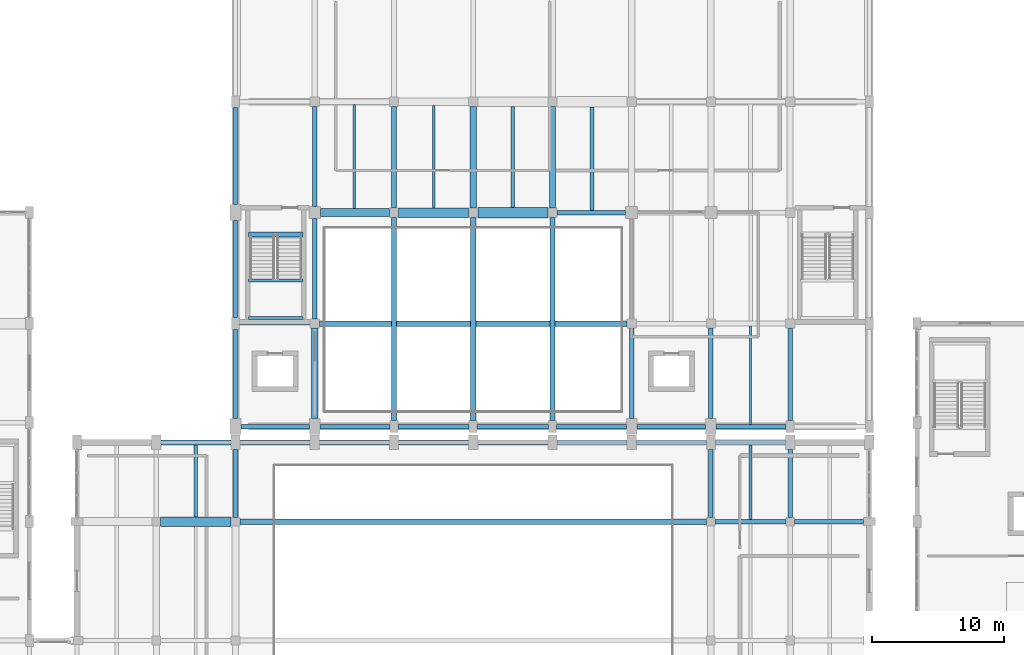
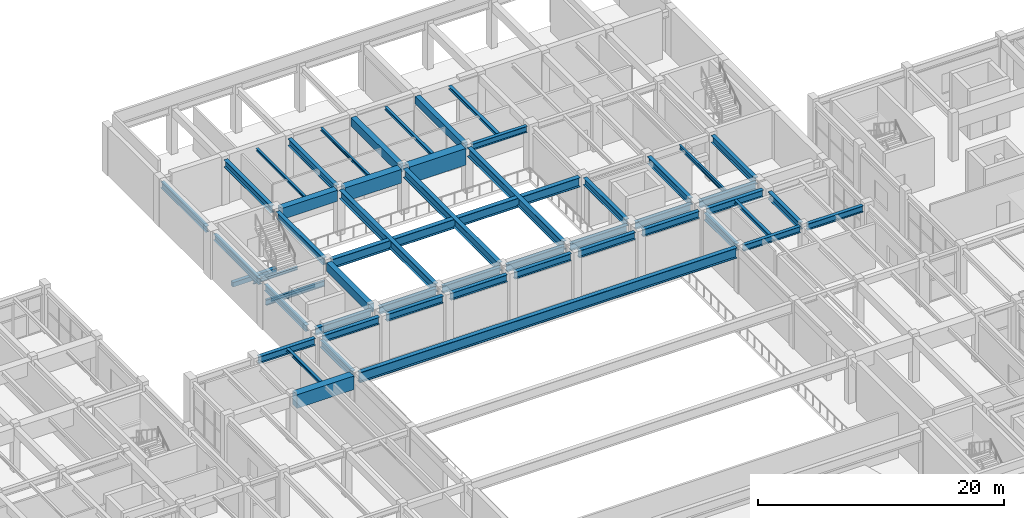
# One storey, part 44 of 85: 53 beams.
"""IFC4 building model written with IfcOpenShell, lengths in metres."""

import ifcopenshell
import ifcopenshell.guid

model = None  # the IFC model being written
_history = None  # IfcOwnerHistory: only IFC2X3 demands one
_inside = {}  # id of a spatial element -> (the spatial element, [elements in it])
_under = {}  # id of a project, library or spatial element -> (it, [spatial elements below it])
_declared = {}  # id of a project -> (the project, [libraries it declares])
_typed = {}  # id of a type object -> (the type object, [elements of that type])
_made_of = {}  # id of a material, layer set ... -> (it, [elements and type objects made of it])


def new_model(schema):
    """Start an empty IFC model of exactly this schema.

    Asked for "IFC4X3", IfcOpenShell would pick the latest addendum, in which some entities
    have other attributes; the version numbers below select the first issue.
    IFC2X3 requires an IfcOwnerHistory on every rooted entity: one is made here for all.
    """
    global model, _history
    if schema == "IFC4X3":
        model = ifcopenshell.file(schema_version=(4, 3, 0, 0))
    else:
        model = ifcopenshell.file(schema=schema)
    _inside.clear()
    _under.clear()
    _declared.clear()
    _typed.clear()
    _made_of.clear()
    _history = None
    if model.schema == "IFC2X3":
        org = make("IfcOrganization", Name="unknown")
        user = make(
            "IfcPersonAndOrganization",
            ThePerson=make("IfcPerson", FamilyName="unknown"),
            TheOrganization=org,
        )
        app = make(
            "IfcApplication",
            ApplicationDeveloper=org,
            Version="unknown",
            ApplicationFullName="unknown",
            ApplicationIdentifier="unknown",
        )
        _history = make(
            "IfcOwnerHistory",
            OwningUser=user,
            OwningApplication=app,
            ChangeAction="ADDED",
            CreationDate=0,
        )
    return model


def make(cls, **values):
    """One entity of the class cls with the attributes given. An attribute that is None is left unset."""
    return model.create_entity(
        cls, **{name: value for name, value in values.items() if value is not None}
    )


def rooted(cls, **values):
    """An entity with a GlobalId (a new one), such as an element, a storey or a relation."""
    return make(cls, GlobalId=ifcopenshell.guid.new(), OwnerHistory=_history, **values)


def si_unit(unit_type, name, prefix=None):
    """IfcSIUnit, for example si_unit("LENGTHUNIT", "METRE", prefix="MILLI")."""
    return make("IfcSIUnit", UnitType=unit_type, Prefix=prefix, Name=name)


def assignment(units):
    """IfcUnitAssignment: the units of a project."""
    return None if units is None else make("IfcUnitAssignment", Units=units)


def point(xyz):
    """IfcCartesianPoint."""
    return None if xyz is None else make("IfcCartesianPoint", Coordinates=xyz)


def direction(xyz):
    """IfcDirection."""
    return None if xyz is None else make("IfcDirection", DirectionRatios=xyz)


def frame(location, z_axis=None, x_axis=None):
    """IfcAxis2Placement3D, a coordinate frame: its origin and axes. An axis left out is left unset."""
    return make(
        "IfcAxis2Placement3D",
        Location=point(location),
        Axis=direction(z_axis),
        RefDirection=direction(x_axis),
    )


def frame_2d(location, x_axis=None):
    """IfcAxis2Placement2D, a coordinate frame in the plane: its origin and x axis."""
    return make(
        "IfcAxis2Placement2D", Location=point(location), RefDirection=direction(x_axis)
    )


def origin():
    """The frame at (0, 0, 0) with its axes left unset."""
    return frame((0.0, 0.0, 0.0))


def origin_2d():
    """The frame at (0, 0) in the plane with its x axis left unset."""
    return frame_2d((0.0, 0.0))


def place(relative_to, where):
    """IfcLocalPlacement: puts the frame where relative to a parent placement (None: the world)."""
    return make(
        "IfcLocalPlacement", PlacementRelTo=relative_to, RelativePlacement=where
    )


def context(
    kind, dimensions, precision=None, world=None, true_north=None, identifier=None
):
    """IfcGeometricRepresentationContext, for example the 3D "Model" context."""
    return make(
        "IfcGeometricRepresentationContext",
        ContextIdentifier=identifier,
        ContextType=kind,
        CoordinateSpaceDimension=dimensions,
        Precision=precision,
        WorldCoordinateSystem=world,
        TrueNorth=true_north,
    )


def subcontext(parent, identifier, kind, view, scale=None):
    """IfcGeometricRepresentationSubContext, for example "Body" below "Model"."""
    return make(
        "IfcGeometricRepresentationSubContext",
        ContextIdentifier=identifier,
        ContextType=kind,
        ParentContext=parent,
        TargetScale=scale,
        TargetView=view,
    )


def project(units=None, contexts=None):
    """IfcProject with its units and contexts."""
    return rooted(
        "IfcProject",
        Name="project",
        RepresentationContexts=contexts,
        UnitsInContext=assignment(units),
    )


def spatial(cls, under=None, at=None, **own):
    """A site, building, storey or space (cls), placed at a placement, below another one or the project."""
    s = rooted(cls, ObjectPlacement=at, **own)
    if under is not None:
        _under.setdefault(under.id(), (under, []))[1].append(s)
    return s


def profile(cls, at=None, kind="AREA", **sizes):
    """A parametric profile (cls). Its sizes go by their IFC names, for example OverallWidth=200.0."""
    return make(cls, ProfileType=kind, Position=at, **sizes)


def rectangle(**sizes):
    """IfcRectangleProfileDef."""
    return profile("IfcRectangleProfileDef", **sizes)


def i_section(**sizes):
    """IfcIShapeProfileDef."""
    return profile("IfcIShapeProfileDef", **sizes)


def extrude(swept, where, along, depth):
    """IfcExtrudedAreaSolid: the profile swept, set in the frame where, extruded along a direction by depth."""
    return make(
        "IfcExtrudedAreaSolid",
        SweptArea=swept,
        Position=where,
        ExtrudedDirection=direction(along),
        Depth=depth,
    )


def shape(context_of_items, identifier, shape_type, items):
    """IfcShapeRepresentation: the items that make up one representation, for example the "Body"."""
    return make(
        "IfcShapeRepresentation",
        ContextOfItems=context_of_items,
        RepresentationIdentifier=identifier,
        RepresentationType=shape_type,
        Items=items,
    )


def material(Name=None, Category=None):
    """IfcMaterial."""
    return make("IfcMaterial", Name=Name, Category=Category)


def material_profile(
    of_material, cross_section, Name=None, Category=None, Priority=None
):
    """IfcMaterialProfile: a cross section and its material."""
    return make(
        "IfcMaterialProfile",
        Name=Name,
        Material=of_material,
        Profile=cross_section,
        Priority=Priority,
        Category=Category,
    )


def profile_set(profiles, Name=None, composite=None):
    """IfcMaterialProfileSet."""
    return make(
        "IfcMaterialProfileSet",
        Name=Name,
        MaterialProfiles=profiles,
        CompositeProfile=composite,
    )


def made_of(thing, what):
    """Note that an element or type object is made of a material, layer set ...; save() writes the relation."""
    if what is not None:
        _made_of.setdefault(what.id(), (what, []))[1].append(thing)
    return thing


def type_object(cls, material=None, **own):
    """A type object (cls), such as IfcWallType, which elements share."""
    return made_of(rooted(cls, **own), material)


def element(
    cls,
    number,
    at=None,
    inside=None,
    cuts=None,
    type_object=None,
    material=None,
    context=None,
    identifier="Body",
    shape_type=None,
    held_by="IfcProductDefinitionShape",
    body=None,
    shapes=None,
    **own,
):
    """One element of the class cls, such as IfcWall. Its Tag is "e" and its number.

    at: its placement. inside: the storey or other place that contains it. cuts: it is an
    opening in that element (IfcRelVoidsElement). A single representation is given by context,
    identifier, shape_type and body (its items); several are given by shapes. held_by: the class
    of the entity that holds the representations. save() writes the other relations.
    """
    e = rooted(cls, Tag="e%d" % number, ObjectPlacement=at, **own)
    if body is not None:
        shapes = [shape(context, identifier, shape_type, body)]
    if shapes is not None:
        e.Representation = make(held_by, Representations=shapes)
    if inside is not None:
        _inside.setdefault(inside.id(), (inside, []))[1].append(e)
    if cuts is not None:
        rooted(
            "IfcRelVoidsElement", RelatingBuildingElement=cuts, RelatedOpeningElement=e
        )
    if type_object is not None:
        _typed.setdefault(type_object.id(), (type_object, []))[1].append(e)
    return made_of(e, material)


def aggregate(whole, parts):
    """IfcRelAggregates: a whole, such as a stair, and the parts it consists of."""
    return rooted("IfcRelAggregates", RelatingObject=whole, RelatedObjects=parts)


def save(model, path):
    """Write the relations noted so far, then the file.

    IfcRelAggregates (storeys below a building ...), IfcRelContainedInSpatialStructure (elements
    in a storey), IfcRelDefinesByType, IfcRelAssociatesMaterial and IfcRelDeclares: one each for
    every whole, place, type object, material and project.
    """
    for whole, parts in _under.values():
        aggregate(whole, parts)
    for where, things in _inside.values():
        rooted(
            "IfcRelContainedInSpatialStructure",
            RelatedElements=things,
            RelatingStructure=where,
        )
    for kind, things in _typed.values():
        rooted("IfcRelDefinesByType", RelatedObjects=things, RelatingType=kind)
    for what, things in _made_of.values():
        rooted("IfcRelAssociatesMaterial", RelatedObjects=things, RelatingMaterial=what)
    for by, libraries in _declared.values():
        rooted("IfcRelDeclares", RelatingContext=by, RelatedDefinitions=libraries)
    model.write(path)


model = new_model("IFC4")

# Units and contexts
model_context = context("Model", 3, precision=1e-05, world=origin(), true_north=direction((0.0, 1.0)))
body_context = subcontext(model_context, "Body", "Model", "MODEL_VIEW")
ifc_project = project(units=[si_unit("LENGTHUNIT", "METRE"), si_unit("AREAUNIT", "SQUARE_METRE"), si_unit("VOLUMEUNIT", "CUBIC_METRE"), si_unit("PLANEANGLEUNIT", "RADIAN"), si_unit("MASSUNIT", "GRAM", prefix="KILO")], contexts=[model_context])

# Site, building, storey
site_placement = place(None, origin())
site = spatial("IfcSite", under=ifc_project, at=site_placement, CompositionType="ELEMENT")
building_placement = place(site_placement, origin())
building = spatial("IfcBuilding", under=site, at=building_placement, Name="Vaelkrest Opera House", CompositionType="ELEMENT")
storey_placement = place(building_placement, frame((0.0, 0.0, 10.199951171875)))
storey = spatial("IfcBuildingStorey", under=building, at=storey_placement, Name="L02", CompositionType="ELEMENT", Elevation=10.199951171875)

# Beams
ifc_material_1 = material(Name="Concrete C50/60", Category="concrete")
ifc_material_profile_1 = material_profile(ifc_material_1, rectangle(XDim=0.449951171875, YDim=0.75, at=origin_2d()), Name="RCB450X750")
ifc_profile_set_1 = profile_set([ifc_material_profile_1], Name="Concrete C50/60")
beam_type_1 = type_object("IfcBeamType", Name="B02", PredefinedType="BEAM", material=ifc_profile_set_1)
beam_1_placement = place(storey_placement, frame((6.0, 33.949951171875, 4.130126953125), z_axis=(0.0, 1.0, 0.0), x_axis=(-1.0, 0.0, 0.0)))
element("IfcBeam", 1, at=beam_1_placement, inside=storey, type_object=beam_type_1, Name="Beam BM-V2-L02-1003", PredefinedType="BEAM", context=body_context, shape_type="SweptSolid", body=[
    extrude(rectangle(XDim=0.449951171875, YDim=0.75, at=origin_2d()), origin(), (0.0, 0.0, 1.0), 7.699951171875),
])
ifc_material_profile_2 = material_profile(ifc_material_1, rectangle(XDim=0.5, YDim=0.85009765625, at=origin_2d()), Name="RCB500X850")
ifc_profile_set_2 = profile_set([ifc_material_profile_2], Name="Concrete C50/60")
beam_type_2 = type_object("IfcBeamType", Name="B03", PredefinedType="BEAM", material=ifc_profile_set_2)
beam_2_placement = place(storey_placement, frame((-12.0, 18.0, 4.080078125), z_axis=(0.0, 1.0, 0.0), x_axis=(-1.0, 0.0, 0.0)))
element("IfcBeam", 2, at=beam_2_placement, inside=storey, type_object=beam_type_2, Name="Beam BM-V2-L02-0992", PredefinedType="BEAM", context=body_context, shape_type="SweptSolid", body=[
    extrude(rectangle(XDim=0.5, YDim=0.85009765625, at=origin_2d()), origin(), (0.0, 0.0, 1.0), 6.85009765625),
])
beam_3_placement = place(storey_placement, frame((0.0, 33.949951171875, 4.080078125), z_axis=(0.0, 1.0, 0.0), x_axis=(-1.0, 0.0, 0.0)))
element("IfcBeam", 3, at=beam_3_placement, inside=storey, type_object=beam_type_2, Name="Beam BM-V2-L02-1000", PredefinedType="BEAM", context=body_context, shape_type="SweptSolid", body=[
    extrude(rectangle(XDim=0.5, YDim=0.85009765625, at=origin_2d()), origin(), (0.0, 0.0, 1.0), 7.699951171875),
])
ifc_material_profile_3 = material_profile(ifc_material_1, rectangle(XDim=0.60009765625, YDim=1.10009765625, at=origin_2d()), Name="RCB600X1100")
ifc_profile_set_3 = profile_set([ifc_material_profile_3], Name="Concrete C50/60")
beam_type_3 = type_object("IfcBeamType", Name="B05", PredefinedType="BEAM", material=ifc_profile_set_3)
beam_4_placement = place(storey_placement, frame((-11.550048828125, 33.60009765625, 3.955078125), z_axis=(1.0, 0.0, 0.0), x_axis=(0.0, 1.0, 0.0)))
element("IfcBeam", 4, at=beam_4_placement, inside=storey, type_object=beam_type_3, Name="Beam BM-V2-L02-0966", PredefinedType="BEAM", context=body_context, shape_type="SweptSolid", body=[
    extrude(rectangle(XDim=0.60009765625, YDim=1.10009765625, at=origin_2d()), origin(), (0.0, 0.0, 1.0), 5.199951171875),
])
ifc_material_profile_4 = material_profile(ifc_material_1, rectangle(XDim=0.699951171875, YDim=1.35009765625, at=origin_2d()), Name="RCB700X1350")
ifc_profile_set_4 = profile_set([ifc_material_profile_4], Name="Concrete C50/60")
beam_type_4 = type_object("IfcBeamType", Name="B06", PredefinedType="BEAM", material=ifc_profile_set_4)
beam_5_placement = place(storey_placement, frame((-23.675048828125, 10.199951171875, 3.830078125), z_axis=(1.0, 0.0, 0.0), x_axis=(0.0, 1.0, 0.0)))
element("IfcBeam", 5, at=beam_5_placement, inside=storey, type_object=beam_type_4, Name="Beam BM-V1-L02-0351", PredefinedType="BEAM", context=body_context, shape_type="SweptSolid", body=[
    extrude(rectangle(XDim=0.699951171875, YDim=1.35009765625, at=origin_2d()), origin(), (0.0, 0.0, 1.0), 5.35009765625),
])
beam_6_placement = place(storey_placement, frame((-5.64990234375, 33.60009765625, 3.830078125), z_axis=(1.0, 0.0, 0.0), x_axis=(0.0, 1.0, 0.0)))
element("IfcBeam", 6, at=beam_6_placement, inside=storey, type_object=beam_type_4, Name="Beam BM-V2-L02-0967", PredefinedType="BEAM", context=body_context, shape_type="SweptSolid", body=[
    extrude(rectangle(XDim=0.699951171875, YDim=1.35009765625, at=origin_2d()), origin(), (0.0, 0.0, 1.0), 5.2998046875),
])
ifc_material_profile_5 = material_profile(ifc_material_1, rectangle(XDim=0.800048828125, YDim=1.64990234375, at=origin_2d()), Name="RCB800X1650")
ifc_profile_set_5 = profile_set([ifc_material_profile_5], Name="Concrete C50/60")
beam_type_5 = type_object("IfcBeamType", Name="B07", PredefinedType="BEAM", material=ifc_profile_set_5)
beam_7_placement = place(storey_placement, frame((0.35009765625, 33.60009765625, 3.679931640625), z_axis=(1.0, 0.0, 0.0), x_axis=(0.0, 1.0, 0.0)))
element("IfcBeam", 7, at=beam_7_placement, inside=storey, type_object=beam_type_5, Name="Beam BM-V2-L02-0968", PredefinedType="BEAM", context=body_context, shape_type="SweptSolid", body=[
    extrude(rectangle(XDim=0.800048828125, YDim=1.64990234375, at=origin_2d()), origin(), (0.0, 0.0, 1.0), 5.2998046875),
])
ifc_material_2 = material(Name="Steel A992 Gr50", Category="steel")
ifc_material_profile_6 = material_profile(ifc_material_2, i_section(OverallWidth=0.323974609375, OverallDepth=0.611083984375, WebThickness=0.0126953125, FlangeThickness=0.01904296875, at=origin_2d()), Name="W24X104")
ifc_profile_set_6 = profile_set([ifc_material_profile_6], Name="Steel A992 Gr50")
beam_type_6 = type_object("IfcBeamType", Name="B08", PredefinedType="BEAM", material=ifc_profile_set_6)
beam_8_placement = place(storey_placement, frame((18.324951171875, 10.199951171875, 4.199462890625), z_axis=(1.0, 0.0, 0.0), x_axis=(0.0, 1.0, 0.0)))
element("IfcBeam", 8, at=beam_8_placement, inside=storey, type_object=beam_type_6, Name="Beam BM-V1-L02-0353", PredefinedType="BEAM", context=body_context, shape_type="SweptSolid", body=[
    extrude(i_section(OverallWidth=0.323974609375, OverallDepth=0.611083984375, WebThickness=0.0126953125, FlangeThickness=0.01904296875, at=origin_2d()), origin(), (0.0, 0.0, 1.0), 5.35009765625),
])
beam_9_placement = place(storey_placement, frame((6.35009765625, 33.60009765625, 4.199462890625), z_axis=(1.0, 0.0, 0.0), x_axis=(0.0, 1.0, 0.0)))
element("IfcBeam", 9, at=beam_9_placement, inside=storey, type_object=beam_type_6, Name="Beam BM-V2-L02-0969", PredefinedType="BEAM", context=body_context, shape_type="SweptSolid", body=[
    extrude(i_section(OverallWidth=0.323974609375, OverallDepth=0.611083984375, WebThickness=0.0126953125, FlangeThickness=0.01904296875, at=origin_2d()), origin(), (0.0, 0.0, 1.0), 5.199951171875),
])
ifc_material_profile_7 = material_profile(ifc_material_2, i_section(OverallWidth=0.327880859375, OverallDepth=0.6279296875, WebThickness=0.0166015625, FlangeThickness=0.027587890625, at=origin_2d()), Name="W24X146")
ifc_profile_set_7 = profile_set([ifc_material_profile_7], Name="Steel A992 Gr50")
beam_type_7 = type_object("IfcBeamType", Name="B09", PredefinedType="BEAM", material=ifc_profile_set_7)
beam_10_placement = place(storey_placement, frame((24.324951171875, 10.199951171875, 4.191162109375), z_axis=(1.0, 0.0, 0.0), x_axis=(0.0, 1.0, 0.0)))
element("IfcBeam", 10, at=beam_10_placement, inside=storey, type_object=beam_type_7, Name="Beam BM-V1-L02-0354", PredefinedType="BEAM", context=body_context, shape_type="SweptSolid", body=[
    extrude(i_section(OverallWidth=0.327880859375, OverallDepth=0.6279296875, WebThickness=0.0166015625, FlangeThickness=0.027587890625, at=origin_2d()), origin(), (0.0, 0.0, 1.0), 5.22509765625),
])
ifc_material_profile_8 = material_profile(ifc_material_2, i_section(OverallWidth=0.35498046875, OverallDepth=0.695068359375, WebThickness=0.015380859375, FlangeThickness=0.02490234375, at=origin_2d()), Name="W27X146")
ifc_profile_set_8 = profile_set([ifc_material_profile_8], Name="Steel A992 Gr50")
beam_type_8 = type_object("IfcBeamType", Name="B10", PredefinedType="BEAM", material=ifc_profile_set_8)
for number, where, z_axis, x_axis, name in (
    (11, (-18.0, 10.52490234375, 4.157470703125), (0.0, 1.0, 0.0), (-1.0, 0.0, 0.0), "Beam BM-V1-L02-0385"),
    (12, (18.0, 10.52490234375, 4.157470703125), (0.0, 1.0, 0.0), (-1.0, 0.0, 0.0), "Beam BM-V1-L02-0393"),
):
    element("IfcBeam", number, at=place(storey_placement, frame(where, z_axis=z_axis, x_axis=x_axis)), inside=storey, type_object=beam_type_8, Name=name, PredefinedType="BEAM", context=body_context, shape_type="SweptSolid", body=[
        extrude(i_section(OverallWidth=0.35498046875, OverallDepth=0.695068359375, WebThickness=0.015380859375, FlangeThickness=0.02490234375, at=origin_2d()), origin(), (0.0, 0.0, 1.0), 5.125),
    ])
beam_11_placement = place(storey_placement, frame((-12.0, 25.550048828125, 4.157470703125), z_axis=(0.0, 1.0, 0.0), x_axis=(-1.0, 0.0, 0.0)))
element("IfcBeam", 13, at=beam_11_placement, inside=storey, type_object=beam_type_8, Name="Beam BM-V2-L02-0993", PredefinedType="BEAM", context=body_context, shape_type="SweptSolid", body=[
    extrude(i_section(OverallWidth=0.35498046875, OverallDepth=0.695068359375, WebThickness=0.015380859375, FlangeThickness=0.02490234375, at=origin_2d()), origin(), (0.0, 0.0, 1.0), 7.599853515625),
])
beam_12_placement = place(storey_placement, frame((-6.0, 33.949951171875, 4.157470703125), z_axis=(0.0, 1.0, 0.0), x_axis=(-1.0, 0.0, 0.0)))
element("IfcBeam", 14, at=beam_12_placement, inside=storey, type_object=beam_type_8, Name="Beam BM-V2-L02-0997", PredefinedType="BEAM", context=body_context, shape_type="SweptSolid", body=[
    extrude(i_section(OverallWidth=0.35498046875, OverallDepth=0.695068359375, WebThickness=0.015380859375, FlangeThickness=0.02490234375, at=origin_2d()), origin(), (0.0, 0.0, 1.0), 7.699951171875),
])
for number, where, z_axis, x_axis, name in (
    (15, (12.0, 18.0, 4.157470703125), (0.0, 1.0, 0.0), (-1.0, 0.0, 0.0), "Beam BM-V2-L02-1005"),
    (16, (18.0, 18.0, 4.157470703125), (0.0, 1.0, 0.0), (-1.0, 0.0, 0.0), "Beam BM-V2-L02-1009"),
):
    element("IfcBeam", number, at=place(storey_placement, frame(where, z_axis=z_axis, x_axis=x_axis)), inside=storey, type_object=beam_type_8, Name=name, PredefinedType="BEAM", context=body_context, shape_type="SweptSolid", body=[
        extrude(i_section(OverallWidth=0.35498046875, OverallDepth=0.695068359375, WebThickness=0.015380859375, FlangeThickness=0.02490234375, at=origin_2d()), origin(), (0.0, 0.0, 1.0), 6.85009765625),
    ])
beam_13_placement = place(storey_placement, frame((24.0, 17.85009765625, 4.157470703125), z_axis=(0.0, 1.0, 0.0), x_axis=(-1.0, 0.0, 0.0)))
element("IfcBeam", 17, at=beam_13_placement, inside=storey, type_object=beam_type_8, Name="Beam BM-V2-L02-1013", PredefinedType="BEAM", context=body_context, shape_type="SweptSolid", body=[
    extrude(i_section(OverallWidth=0.35498046875, OverallDepth=0.695068359375, WebThickness=0.015380859375, FlangeThickness=0.02490234375, at=origin_2d()), origin(), (0.0, 0.0, 1.0), 7.0),
])
ifc_material_profile_9 = material_profile(ifc_material_2, i_section(OverallWidth=0.39892578125, OverallDepth=0.85498046875, WebThickness=0.018310546875, FlangeThickness=0.029296875, at=origin_2d()), Name="W33X201")
ifc_profile_set_9 = profile_set([ifc_material_profile_9], Name="Steel A992 Gr50")
beam_type_9 = type_object("IfcBeamType", Name="B12", PredefinedType="BEAM", material=ifc_profile_set_9)
for number, where, z_axis, x_axis, name in (
    (18, (-6.0, 17.85009765625, 4.07763671875), (0.0, 1.0, 0.0), (-1.0, 0.0, 0.0), "Beam BM-V2-L02-0996"),
    (19, (0.0, 17.85009765625, 4.07763671875), (0.0, 1.0, 0.0), (-1.0, 0.0, 0.0), "Beam BM-V2-L02-0999"),
    (20, (6.0, 17.85009765625, 4.07763671875), (0.0, 1.0, 0.0), (-1.0, 0.0, 0.0), "Beam BM-V2-L02-1002"),
):
    element("IfcBeam", number, at=place(storey_placement, frame(where, z_axis=z_axis, x_axis=x_axis)), inside=storey, type_object=beam_type_9, Name=name, PredefinedType="BEAM", context=body_context, shape_type="SweptSolid", body=[
        extrude(i_section(OverallWidth=0.39892578125, OverallDepth=0.85498046875, WebThickness=0.018310546875, FlangeThickness=0.029296875, at=origin_2d()), origin(), (0.0, 0.0, 1.0), 15.39990234375),
    ])
ifc_material_profile_10 = material_profile(ifc_material_2, i_section(OverallWidth=0.41796875, OverallDepth=0.927001953125, WebThickness=0.019287109375, FlangeThickness=0.031982421875, at=origin_2d()), Name="W36X231")
ifc_profile_set_10 = profile_set([ifc_material_profile_10], Name="Steel A992 Gr50")
beam_type_10 = type_object("IfcBeamType", Name="B13", PredefinedType="BEAM", material=ifc_profile_set_10)
beam_14_placement = place(storey_placement, frame((-11.64990234375, 25.199951171875, 4.04150390625), z_axis=(1.0, 0.0, 0.0), x_axis=(0.0, 1.0, 0.0)))
element("IfcBeam", 21, at=beam_14_placement, inside=storey, type_object=beam_type_10, Name="Beam BM-V2-L02-0963", PredefinedType="BEAM", context=body_context, shape_type="SweptSolid", body=[
    extrude(i_section(OverallWidth=0.41796875, OverallDepth=0.927001953125, WebThickness=0.019287109375, FlangeThickness=0.031982421875, at=origin_2d()), origin(), (0.0, 0.0, 1.0), 23.2998046875),
])
ifc_material_profile_11 = material_profile(ifc_material_2, i_section(OverallWidth=0.35791015625, OverallDepth=0.7060546875, WebThickness=0.018310546875, FlangeThickness=0.0302734375, at=origin_2d()), Name="W27X178")
ifc_profile_set_11 = profile_set([ifc_material_profile_11], Name="Steel A992 Gr50")
beam_type_11 = type_object("IfcBeamType", Name="B14", PredefinedType="BEAM", material=ifc_profile_set_11)
beam_15_placement = place(storey_placement, frame((24.0, 10.52490234375, 4.152099609375), z_axis=(0.0, 1.0, 0.0), x_axis=(-1.0, 0.0, 0.0)))
element("IfcBeam", 22, at=beam_15_placement, inside=storey, type_object=beam_type_11, Name="Beam BM-V1-L02-0398", PredefinedType="BEAM", context=body_context, shape_type="SweptSolid", body=[
    extrude(i_section(OverallWidth=0.35791015625, OverallDepth=0.7060546875, WebThickness=0.018310546875, FlangeThickness=0.0302734375, at=origin_2d()), origin(), (0.0, 0.0, 1.0), 5.125),
])
beam_16_placement = place(storey_placement, frame((-12.0, 34.050048828125, 4.152099609375), z_axis=(0.0, 1.0, 0.0), x_axis=(-1.0, 0.0, 0.0)))
element("IfcBeam", 23, at=beam_16_placement, inside=storey, type_object=beam_type_11, Name="Beam BM-V2-L02-0994", PredefinedType="BEAM", context=body_context, shape_type="SweptSolid", body=[
    extrude(i_section(OverallWidth=0.35791015625, OverallDepth=0.7060546875, WebThickness=0.018310546875, FlangeThickness=0.0302734375, at=origin_2d()), origin(), (0.0, 0.0, 1.0), 7.599853515625),
])
ifc_material_profile_12 = material_profile(ifc_material_2, i_section(OverallWidth=0.39990234375, OverallDepth=1.02197265625, WebThickness=0.01904296875, FlangeThickness=0.0361328125, at=origin_2d()), Name="W40X249")
ifc_profile_set_12 = profile_set([ifc_material_profile_12], Name="Steel A992 Gr50")
beam_type_12 = type_object("IfcBeamType", Name="B15", PredefinedType="BEAM", material=ifc_profile_set_12)
beam_17_placement = place(storey_placement, frame((-17.675048828125, 10.199951171875, 3.994140625), z_axis=(1.0, 0.0, 0.0), x_axis=(0.0, 1.0, 0.0)))
element("IfcBeam", 24, at=beam_17_placement, inside=storey, type_object=beam_type_12, Name="Beam BM-V1-L02-0352", PredefinedType="BEAM", context=body_context, shape_type="SweptSolid", body=[
    extrude(i_section(OverallWidth=0.39990234375, OverallDepth=1.02197265625, WebThickness=0.01904296875, FlangeThickness=0.0361328125, at=origin_2d()), origin(), (0.0, 0.0, 1.0), 35.35009765625),
])
ifc_material_profile_13 = material_profile(ifc_material_2, i_section(OverallWidth=0.2041015625, OverallDepth=0.257080078125, WebThickness=0.0087890625, FlangeThickness=0.015625, at=origin_2d()), Name="W10X45")
ifc_profile_set_13 = profile_set([ifc_material_profile_13], Name="Steel A992 Gr50")
beam_type_13 = type_object("IfcBeamType", Name="J01", PredefinedType="JOIST", material=ifc_profile_set_13)
beam_18_placement = place(storey_placement, frame((-9.0, 33.89990234375, 4.37646484375), z_axis=(0.0, 1.0, 0.0), x_axis=(-1.0, 0.0, 0.0)))
element("IfcBeam", 25, at=beam_18_placement, inside=storey, type_object=beam_type_13, Name="Floor joist JST-V2-L02-1021", PredefinedType="JOIST", context=body_context, shape_type="SweptSolid", body=[
    extrude(i_section(OverallWidth=0.2041015625, OverallDepth=0.257080078125, WebThickness=0.0087890625, FlangeThickness=0.015625, at=origin_2d()), origin(), (0.0, 0.0, 1.0), 7.900146484375),
])
ifc_material_profile_14 = material_profile(ifc_material_2, i_section(OverallWidth=0.202880859375, OverallDepth=0.302978515625, WebThickness=0.007568359375, FlangeThickness=0.01318359375, at=origin_2d()), Name="W12X40")
ifc_profile_set_14 = profile_set([ifc_material_profile_14], Name="Steel A992 Gr50")
beam_type_14 = type_object("IfcBeamType", Name="J02", PredefinedType="JOIST", material=ifc_profile_set_14)
beam_19_placement = place(storey_placement, frame((-3.0, 33.949951171875, 4.353515625), z_axis=(0.0, 1.0, 0.0), x_axis=(-1.0, 0.0, 0.0)))
element("IfcBeam", 26, at=beam_19_placement, inside=storey, type_object=beam_type_14, Name="Floor joist JST-V2-L02-1022", PredefinedType="JOIST", context=body_context, shape_type="SweptSolid", body=[
    extrude(i_section(OverallWidth=0.202880859375, OverallDepth=0.302978515625, WebThickness=0.007568359375, FlangeThickness=0.01318359375, at=origin_2d()), origin(), (0.0, 0.0, 1.0), 7.75),
])
for number, where, z_axis, x_axis, name in (
    (27, (-17.02001953125, 25.6201171875, 2.048583984375), (1.0, 0.0, 0.0), (0.0, 1.0, 0.0), "Stair landing bearer beam ST05 L02-1N"),
    (28, (-17.02001953125, 28.469970703125, 2.048583984375), (1.0, 0.0, 0.0), (0.0, 1.0, 0.0), "Stair landing bearer beam ST05 L02-1F"),
):
    element("IfcBeam", number, at=place(storey_placement, frame(where, z_axis=z_axis, x_axis=x_axis)), inside=storey, type_object=beam_type_14, Name=name, PredefinedType="JOIST", context=body_context, shape_type="SweptSolid", body=[
        extrude(i_section(OverallWidth=0.202880859375, OverallDepth=0.302978515625, WebThickness=0.007568359375, FlangeThickness=0.01318359375, at=origin_2d()), origin(), (0.0, 0.0, 1.0), 4.14013671875),
    ])
ifc_material_profile_15 = material_profile(ifc_material_2, i_section(OverallWidth=0.25390625, OverallDepth=0.305908203125, WebThickness=0.0087890625, FlangeThickness=0.0146484375, at=origin_2d()), Name="W12X53")
ifc_profile_set_15 = profile_set([ifc_material_profile_15], Name="Steel A992 Gr50")
beam_type_15 = type_object("IfcBeamType", Name="J03", PredefinedType="JOIST", material=ifc_profile_set_15)
beam_20_placement = place(storey_placement, frame((-21.0, 10.550048828125, 4.35205078125), z_axis=(0.0, 1.0, 0.0), x_axis=(-1.0, 0.0, 0.0)))
element("IfcBeam", 29, at=beam_20_placement, inside=storey, type_object=beam_type_15, Name="Floor joist JST-V1-L02-0413", PredefinedType="JOIST", context=body_context, shape_type="SweptSolid", body=[
    extrude(i_section(OverallWidth=0.25390625, OverallDepth=0.305908203125, WebThickness=0.0087890625, FlangeThickness=0.0146484375, at=origin_2d()), origin(), (0.0, 0.0, 1.0), 5.472412109375),
])
beam_21_placement = place(storey_placement, frame((3.0, 34.0, 4.35205078125), z_axis=(0.0, 1.0, 0.0), x_axis=(-1.0, 0.0, 0.0)))
element("IfcBeam", 30, at=beam_21_placement, inside=storey, type_object=beam_type_15, Name="Floor joist JST-V2-L02-1023", PredefinedType="JOIST", context=body_context, shape_type="SweptSolid", body=[
    extrude(i_section(OverallWidth=0.25390625, OverallDepth=0.305908203125, WebThickness=0.0087890625, FlangeThickness=0.0146484375, at=origin_2d()), origin(), (0.0, 0.0, 1.0), 7.64990234375),
])
ifc_material_profile_16 = material_profile(ifc_material_2, i_section(OverallWidth=0.304931640625, OverallDepth=0.30810546875, WebThickness=0.010009765625, FlangeThickness=0.015380859375, at=origin_2d()), Name="W12X65")
ifc_profile_set_16 = profile_set([ifc_material_profile_16], Name="Steel A992 Gr50")
beam_type_16 = type_object("IfcBeamType", Name="J04", PredefinedType="JOIST", material=ifc_profile_set_16)
beam_22_placement = place(storey_placement, frame((9.0, 33.761962890625, 4.35107421875), z_axis=(0.0, 1.0, 0.0), x_axis=(-1.0, 0.0, 0.0)))
element("IfcBeam", 31, at=beam_22_placement, inside=storey, type_object=beam_type_16, Name="Floor joist JST-V2-L02-1024", PredefinedType="JOIST", context=body_context, shape_type="SweptSolid", body=[
    extrude(i_section(OverallWidth=0.304931640625, OverallDepth=0.30810546875, WebThickness=0.010009765625, FlangeThickness=0.015380859375, at=origin_2d()), origin(), (0.0, 0.0, 1.0), 7.838134765625),
])
ifc_material_profile_17 = material_profile(ifc_material_2, i_section(OverallWidth=0.257080078125, OverallDepth=0.363037109375, WebThickness=0.012939453125, FlangeThickness=0.021728515625, at=origin_2d()), Name="W14X82")
ifc_profile_set_17 = profile_set([ifc_material_profile_17], Name="Steel A992 Gr50")
beam_type_17 = type_object("IfcBeamType", Name="J06", PredefinedType="JOIST", material=ifc_profile_set_17)
beam_23_placement = place(storey_placement, frame((21.0, 10.362060546875, 4.323486328125), z_axis=(0.0, 1.0, 0.0), x_axis=(-1.0, 0.0, 0.0)))
element("IfcBeam", 32, at=beam_23_placement, inside=storey, type_object=beam_type_17, Name="Floor joist JST-V1-L02-0416", PredefinedType="JOIST", context=body_context, shape_type="SweptSolid", body=[
    extrude(i_section(OverallWidth=0.257080078125, OverallDepth=0.363037109375, WebThickness=0.012939453125, FlangeThickness=0.021728515625, at=origin_2d()), origin(), (0.0, 0.0, 1.0), 5.660400390625),
])
ifc_material_profile_18 = material_profile(ifc_material_2, i_section(OverallWidth=0.180908203125, OverallDepth=0.4169921875, WebThickness=0.010986328125, FlangeThickness=0.018310546875, at=origin_2d()), Name="W16X57")
ifc_profile_set_18 = profile_set([ifc_material_profile_18], Name="Steel A992 Gr50")
beam_type_18 = type_object("IfcBeamType", Name="J07", PredefinedType="JOIST", material=ifc_profile_set_18)
beam_24_placement = place(storey_placement, frame((21.0, 17.577392578125, 4.296630859375), z_axis=(0.0, 1.0, 0.0), x_axis=(-1.0, 0.0, 0.0)))
element("IfcBeam", 33, at=beam_24_placement, inside=storey, type_object=beam_type_18, Name="Floor joist JST-V2-L02-1027", PredefinedType="JOIST", context=body_context, shape_type="SweptSolid", body=[
    extrude(i_section(OverallWidth=0.180908203125, OverallDepth=0.4169921875, WebThickness=0.010986328125, FlangeThickness=0.018310546875, at=origin_2d()), origin(), (0.0, 0.0, 1.0), 7.422607421875),
])
ifc_material_profile_19 = material_profile(ifc_material_1, rectangle(XDim=0.35009765625, YDim=0.449951171875, at=origin_2d()), Name="RCB350X450")
ifc_profile_set_19 = profile_set([ifc_material_profile_19], Name="Concrete C50/60")
beam_type_19 = type_object("IfcBeamType", Name="LN01", PredefinedType="LINTEL", material=ifc_profile_set_19)
beam_25_placement = place(storey_placement, frame((-17.02001953125, 31.949951171875, -0.224853515625), z_axis=(1.0, 0.0, 0.0), x_axis=(0.0, 1.0, 0.0)))
element("IfcBeam", 34, at=beam_25_placement, inside=storey, type_object=beam_type_19, Name="Stairwell trimmer beam ST05 L02", PredefinedType="LINTEL", context=body_context, shape_type="SweptSolid", body=[
    extrude(rectangle(XDim=0.35009765625, YDim=0.449951171875, at=origin_2d()), origin(), (0.0, 0.0, 1.0), 4.14013671875),
])
ifc_material_profile_20 = material_profile(ifc_material_2, i_section(OverallWidth=0.214111328125, OverallDepth=0.549072265625, WebThickness=0.0146484375, FlangeThickness=0.023681640625, at=origin_2d()), Name="W21X93")
ifc_profile_set_20 = profile_set([ifc_material_profile_20], Name="Steel A992 Gr50")
beam_type_20 = type_object("IfcBeamType", Name="LN03", PredefinedType="LINTEL", material=ifc_profile_set_20)
beam_26_placement = place(storey_placement, frame((-17.75, 25.199951171875, 2.300048828125), z_axis=(1.0, 0.0, 0.0), x_axis=(0.0, 1.0, 0.0)))
element("IfcBeam", 35, at=beam_26_placement, inside=storey, type_object=beam_type_20, Name="Portal lintel L02-3", PredefinedType="LINTEL", context=body_context, shape_type="SweptSolid", body=[
    extrude(i_section(OverallWidth=0.214111328125, OverallDepth=0.549072265625, WebThickness=0.0146484375, FlangeThickness=0.023681640625, at=origin_2d()), origin(), (0.0, 0.0, 1.0), 5.5),
])
ifc_material_profile_21 = material_profile(ifc_material_2, i_section(OverallWidth=0.323974609375, OverallDepth=0.611083984375, WebThickness=0.0126953125, FlangeThickness=0.01904296875, at=origin_2d()), Name="W24X104")
ifc_profile_set_21 = profile_set([ifc_material_profile_21], Name="Steel A992 Gr50")
beam_type_21 = type_object("IfcBeamType", Name="SP01", PredefinedType="SPANDREL", material=ifc_profile_set_21)
beam_27_placement = place(storey_placement, frame((-18.0, 18.0, 4.199462890625), z_axis=(0.0, 1.0, 0.0), x_axis=(-1.0, 0.0, 0.0)))
element("IfcBeam", 36, at=beam_27_placement, inside=storey, type_object=beam_type_21, Name="Beam BM-V2-L02-0988", PredefinedType="SPANDREL", context=body_context, shape_type="SweptSolid", body=[
    extrude(i_section(OverallWidth=0.323974609375, OverallDepth=0.611083984375, WebThickness=0.0126953125, FlangeThickness=0.01904296875, at=origin_2d()), origin(), (0.0, 0.0, 1.0), 6.75),
])
for number, where, z_axis, x_axis, name in (
    (37, (-18.0, 25.64990234375, 4.199462890625), (0.0, 1.0, 0.0), (-1.0, 0.0, 0.0), "Beam BM-V2-L02-0989"),
    (38, (-18.0, 34.199951171875, 4.199462890625), (0.0, 1.0, 0.0), (-1.0, 0.0, 0.0), "Beam BM-V2-L02-0990"),
):
    element("IfcBeam", number, at=place(storey_placement, frame(where, z_axis=z_axis, x_axis=x_axis)), inside=storey, type_object=beam_type_21, Name=name, PredefinedType="SPANDREL", context=body_context, shape_type="SweptSolid", body=[
        extrude(i_section(OverallWidth=0.323974609375, OverallDepth=0.611083984375, WebThickness=0.0126953125, FlangeThickness=0.01904296875, at=origin_2d()), origin(), (0.0, 0.0, 1.0), 7.35009765625),
    ])
ifc_material_profile_22 = material_profile(ifc_material_2, i_section(OverallWidth=0.35498046875, OverallDepth=0.695068359375, WebThickness=0.015380859375, FlangeThickness=0.02490234375, at=origin_2d()), Name="W27X146")
ifc_profile_set_22 = profile_set([ifc_material_profile_22], Name="Steel A992 Gr50")
beam_type_22 = type_object("IfcBeamType", Name="SP02", PredefinedType="SPANDREL", material=ifc_profile_set_22)
for number, where, z_axis, x_axis, name in (
    (39, (-23.64990234375, 16.199951171875, 4.157470703125), (1.0, 0.0, 0.0), (0.0, 1.0, 0.0), "Beam BM-V1-L02-0356"),
    (40, (-17.64990234375, 16.199951171875, 4.157470703125), (1.0, 0.0, 0.0), (0.0, 1.0, 0.0), "Beam BM-V1-L02-0357"),
    (41, (-11.64990234375, 16.199951171875, 4.157470703125), (1.0, 0.0, 0.0), (0.0, 1.0, 0.0), "Beam BM-V1-L02-0358"),
    (42, (-5.64990234375, 16.199951171875, 4.157470703125), (1.0, 0.0, 0.0), (0.0, 1.0, 0.0), "Beam BM-V1-L02-0359"),
    (43, (0.35009765625, 16.199951171875, 4.157470703125), (1.0, 0.0, 0.0), (0.0, 1.0, 0.0), "Beam BM-V1-L02-0360"),
    (44, (6.35009765625, 16.199951171875, 4.157470703125), (1.0, 0.0, 0.0), (0.0, 1.0, 0.0), "Beam BM-V1-L02-0361"),
    (45, (12.35009765625, 16.199951171875, 4.157470703125), (1.0, 0.0, 0.0), (0.0, 1.0, 0.0), "Beam BM-V1-L02-0362"),
    (46, (18.35009765625, 16.199951171875, 4.157470703125), (1.0, 0.0, 0.0), (0.0, 1.0, 0.0), "Beam BM-V1-L02-0363"),
):
    element("IfcBeam", number, at=place(storey_placement, frame(where, z_axis=z_axis, x_axis=x_axis)), inside=storey, type_object=beam_type_22, Name=name, PredefinedType="SPANDREL", context=body_context, shape_type="SweptSolid", body=[
        extrude(i_section(OverallWidth=0.35498046875, OverallDepth=0.695068359375, WebThickness=0.015380859375, FlangeThickness=0.02490234375, at=origin_2d()), origin(), (0.0, 0.0, 1.0), 5.2998046875),
    ])
beam_28_placement = place(storey_placement, frame((-17.60009765625, 17.39990234375, 4.157470703125), z_axis=(1.0, 0.0, 0.0), x_axis=(0.0, 1.0, 0.0)))
element("IfcBeam", 47, at=beam_28_placement, inside=storey, type_object=beam_type_22, Name="Beam BM-V2-L02-0955", PredefinedType="SPANDREL", context=body_context, shape_type="SweptSolid", body=[
    extrude(i_section(OverallWidth=0.35498046875, OverallDepth=0.695068359375, WebThickness=0.015380859375, FlangeThickness=0.02490234375, at=origin_2d()), origin(), (0.0, 0.0, 1.0), 5.2001953125),
])
beam_29_placement = place(storey_placement, frame((-11.60009765625, 17.39990234375, 4.157470703125), z_axis=(1.0, 0.0, 0.0), x_axis=(0.0, 1.0, 0.0)))
element("IfcBeam", 48, at=beam_29_placement, inside=storey, type_object=beam_type_22, Name="Beam BM-V2-L02-0956", PredefinedType="SPANDREL", context=body_context, shape_type="SweptSolid", body=[
    extrude(i_section(OverallWidth=0.35498046875, OverallDepth=0.695068359375, WebThickness=0.015380859375, FlangeThickness=0.02490234375, at=origin_2d()), origin(), (0.0, 0.0, 1.0), 5.300048828125),
])
for number, where, z_axis, x_axis, name in (
    (49, (-5.699951171875, 17.39990234375, 4.157470703125), (1.0, 0.0, 0.0), (0.0, 1.0, 0.0), "Beam BM-V2-L02-0957"),
    (50, (0.300048828125, 17.39990234375, 4.157470703125), (1.0, 0.0, 0.0), (0.0, 1.0, 0.0), "Beam BM-V2-L02-0958"),
):
    element("IfcBeam", number, at=place(storey_placement, frame(where, z_axis=z_axis, x_axis=x_axis)), inside=storey, type_object=beam_type_22, Name=name, PredefinedType="SPANDREL", context=body_context, shape_type="SweptSolid", body=[
        extrude(i_section(OverallWidth=0.35498046875, OverallDepth=0.695068359375, WebThickness=0.015380859375, FlangeThickness=0.02490234375, at=origin_2d()), origin(), (0.0, 0.0, 1.0), 5.39990234375),
    ])
beam_30_placement = place(storey_placement, frame((6.300048828125, 17.39990234375, 4.157470703125), z_axis=(1.0, 0.0, 0.0), x_axis=(0.0, 1.0, 0.0)))
element("IfcBeam", 51, at=beam_30_placement, inside=storey, type_object=beam_type_22, Name="Beam BM-V2-L02-0959", PredefinedType="SPANDREL", context=body_context, shape_type="SweptSolid", body=[
    extrude(i_section(OverallWidth=0.35498046875, OverallDepth=0.695068359375, WebThickness=0.015380859375, FlangeThickness=0.02490234375, at=origin_2d()), origin(), (0.0, 0.0, 1.0), 5.300048828125),
])
beam_31_placement = place(storey_placement, frame((12.39990234375, 17.39990234375, 4.157470703125), z_axis=(1.0, 0.0, 0.0), x_axis=(0.0, 1.0, 0.0)))
element("IfcBeam", 52, at=beam_31_placement, inside=storey, type_object=beam_type_22, Name="Beam BM-V2-L02-0960", PredefinedType="SPANDREL", context=body_context, shape_type="SweptSolid", body=[
    extrude(i_section(OverallWidth=0.35498046875, OverallDepth=0.695068359375, WebThickness=0.015380859375, FlangeThickness=0.02490234375, at=origin_2d()), origin(), (0.0, 0.0, 1.0), 5.2001953125),
])
beam_32_placement = place(storey_placement, frame((18.39990234375, 17.39990234375, 4.157470703125), z_axis=(1.0, 0.0, 0.0), x_axis=(0.0, 1.0, 0.0)))
element("IfcBeam", 53, at=beam_32_placement, inside=storey, type_object=beam_type_22, Name="Beam BM-V2-L02-0961", PredefinedType="SPANDREL", context=body_context, shape_type="SweptSolid", body=[
    extrude(i_section(OverallWidth=0.35498046875, OverallDepth=0.695068359375, WebThickness=0.015380859375, FlangeThickness=0.02490234375, at=origin_2d()), origin(), (0.0, 0.0, 1.0), 5.300048828125),
])

save(model, "model.ifc")
